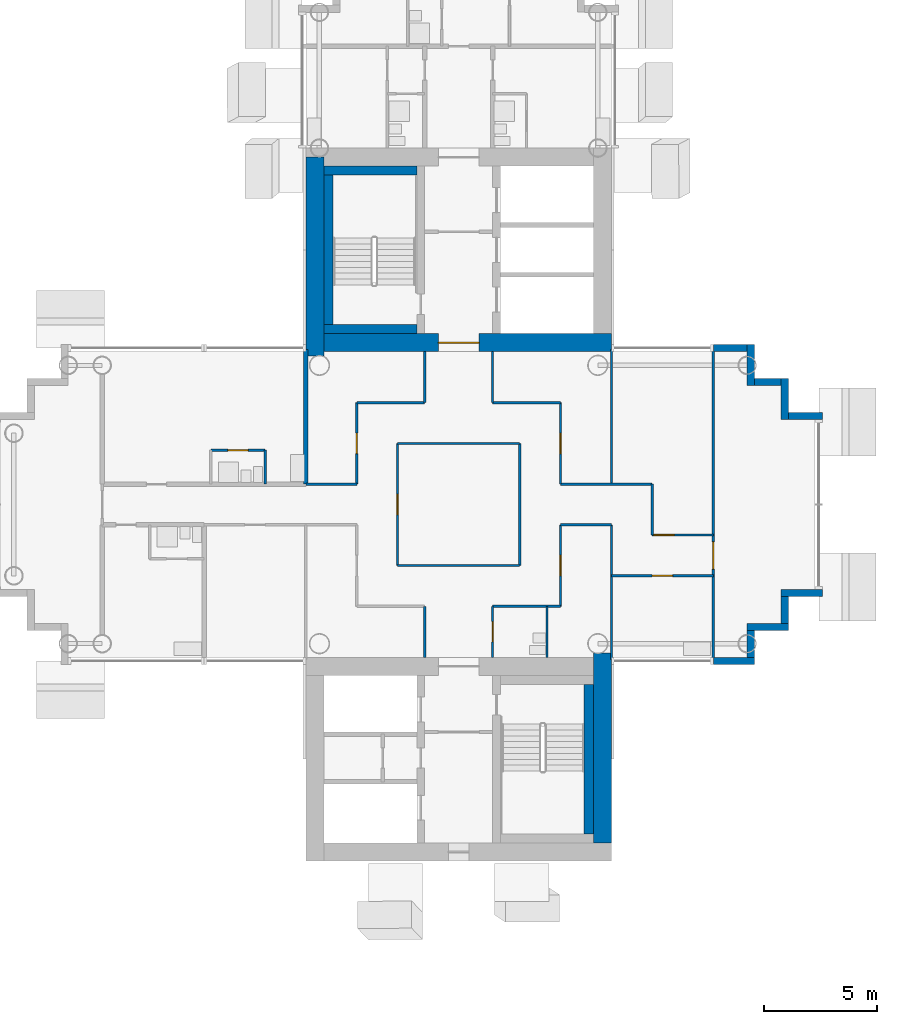
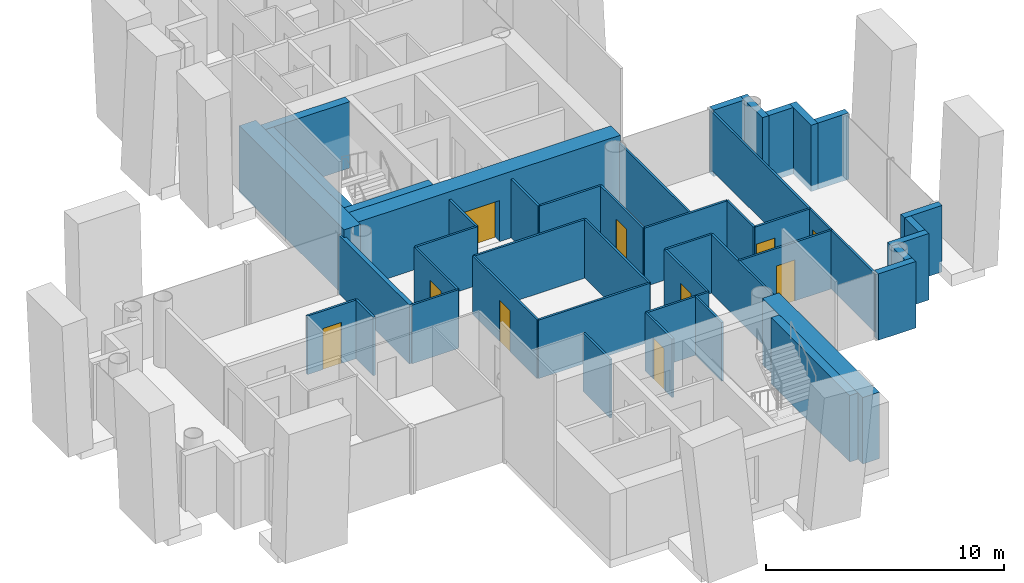
# One storey, part 10 of 18: 44 walls, 10 doors, 10 openings.
"""IFC4 building model written with IfcOpenShell, lengths in metres."""

from ifc_helpers import new_model, si_unit, direction, frame, frame_2d, origin, place, context, subcontext, project, spatial, rectangle, extrude, material, layer, layer_set, type_object, element, fill, save


model = new_model("IFC4")

# Units and contexts
model_context = context("Model", 3, precision=1e-05, world=origin(), true_north=direction((0.0, 1.0)))
body_context = subcontext(model_context, "Body", "Model", "MODEL_VIEW")
ifc_project = project(units=[si_unit("LENGTHUNIT", "METRE"), si_unit("AREAUNIT", "SQUARE_METRE"), si_unit("VOLUMEUNIT", "CUBIC_METRE"), si_unit("PLANEANGLEUNIT", "RADIAN"), si_unit("MASSUNIT", "GRAM", prefix="KILO")], contexts=[model_context])

# Site, building, storey
site_placement = place(None, origin())
site = spatial("IfcSite", under=ifc_project, at=site_placement, CompositionType="ELEMENT")
building_placement = place(site_placement, origin())
building = spatial("IfcBuilding", under=site, at=building_placement, Name="Ipe Terrace Towers", CompositionType="ELEMENT")
storey_placement = place(building_placement, frame((0.0, 0.0, 171.10009765625)))
storey = spatial("IfcBuildingStorey", under=building, at=storey_placement, Name="L47", CompositionType="ELEMENT", Elevation=171.10009765625)

# Walls
ifc_material_1 = material(Name="Concrete C40/50 with buff precast cladding", Category="concrete")
ifc_layer_1 = layer(ifc_material_1, 0.320068359375)
ifc_layer_set_1 = layer_set([ifc_layer_1], Name="BUFF CLADDING WALL 320")
wall_type_1 = type_object("IfcWallType", Name="BUFF CLADDING WALL 320", PredefinedType="STANDARD", material=ifc_layer_set_1)
wall_1_placement = place(storey_placement, frame((47.25, -6.909912109375, -0.300048828125), z_axis=(0.0, 0.0, 1.0), x_axis=(1.0, 0.0, 0.0)))
element("IfcWall", 1, at=wall_1_placement, inside=storey, type_object=wall_type_1, Name="T2-W-L47-03a wall", PredefinedType="STANDARD", context=body_context, shape_type="SweptSolid", body=[
    extrude(rectangle(XDim=1.820068359375, YDim=0.320068359375, at=frame_2d((0.91015625, 0.0))), origin(), (0.0, 0.0, 1.0), 3.39990234375),
])
wall_2_placement = place(storey_placement, frame((48.909912109375, -6.75, -0.300048828125), z_axis=(0.0, 0.0, 1.0), x_axis=(0.0, 1.0, 0.0)))
element("IfcWall", 2, at=wall_2_placement, inside=storey, type_object=wall_type_1, Name="T2-W-L47-04a wall", PredefinedType="STANDARD", context=body_context, shape_type="SweptSolid", body=[
    extrude(rectangle(XDim=1.179931640625, YDim=0.320068359375, at=frame_2d((0.58984375, 0.0))), origin(), (0.0, 0.0, 1.0), 3.39990234375),
])
wall_3_placement = place(storey_placement, frame((48.75, -5.409912109375, -0.300048828125), z_axis=(0.0, 0.0, 1.0), x_axis=(1.0, 0.0, 0.0)))
element("IfcWall", 3, at=wall_3_placement, inside=storey, type_object=wall_type_1, Name="T2-W-L47-05a wall", PredefinedType="STANDARD", context=body_context, shape_type="SweptSolid", body=[
    extrude(rectangle(XDim=1.820068359375, YDim=0.320068359375, at=frame_2d((0.91015625, 0.0))), origin(), (0.0, 0.0, 1.0), 3.39990234375),
])
wall_4_placement = place(storey_placement, frame((50.409912109375, -5.25, -0.300048828125), z_axis=(0.0, 0.0, 1.0), x_axis=(0.0, 1.0, 0.0)))
element("IfcWall", 4, at=wall_4_placement, inside=storey, type_object=wall_type_1, Name="T2-W-L47-06a wall", PredefinedType="STANDARD", context=body_context, shape_type="SweptSolid", body=[
    extrude(rectangle(XDim=1.179931640625, YDim=0.320068359375, at=frame_2d((0.58984375, 0.0))), origin(), (0.0, 0.0, 1.0), 3.39990234375),
])
wall_5_placement = place(storey_placement, frame((50.25, -3.909912109375, -0.300048828125), z_axis=(0.0, 0.0, 1.0), x_axis=(1.0, 0.0, 0.0)))
element("IfcWall", 5, at=wall_5_placement, inside=storey, type_object=wall_type_1, Name="T2-W-L47-07a wall", PredefinedType="STANDARD", context=body_context, shape_type="SweptSolid", body=[
    extrude(rectangle(XDim=1.820068359375, YDim=0.320068359375, at=frame_2d((0.91015625, 0.0))), origin(), (0.0, 0.0, 1.0), 3.39990234375),
])
wall_6_placement = place(storey_placement, frame((52.070068359375, 3.909912109375, -0.300048828125), z_axis=(0.0, 0.0, 1.0), x_axis=(-1.0, 0.0, 0.0)))
element("IfcWall", 6, at=wall_6_placement, inside=storey, type_object=wall_type_1, Name="T2-W-L47-09a wall", PredefinedType="STANDARD", context=body_context, shape_type="SweptSolid", body=[
    extrude(rectangle(XDim=1.5, YDim=0.320068359375, at=frame_2d((0.75, 0.0))), origin(), (0.0, 0.0, 1.0), 3.39990234375),
])
wall_7_placement = place(storey_placement, frame((50.409912109375, 3.75, -0.300048828125), z_axis=(0.0, 0.0, 1.0), x_axis=(0.0, 1.0, 0.0)))
element("IfcWall", 7, at=wall_7_placement, inside=storey, type_object=wall_type_1, Name="T2-W-L47-10a wall", PredefinedType="STANDARD", context=body_context, shape_type="SweptSolid", body=[
    extrude(rectangle(XDim=1.820068359375, YDim=0.320068359375, at=frame_2d((0.91015625, 0.0))), origin(), (0.0, 0.0, 1.0), 3.39990234375),
])
wall_8_placement = place(storey_placement, frame((50.25, 5.409912109375, -0.300048828125), z_axis=(0.0, 0.0, 1.0), x_axis=(-1.0, 0.0, 0.0)))
element("IfcWall", 8, at=wall_8_placement, inside=storey, type_object=wall_type_1, Name="T2-W-L47-11a wall", PredefinedType="STANDARD", context=body_context, shape_type="SweptSolid", body=[
    extrude(rectangle(XDim=1.179931640625, YDim=0.320068359375, at=frame_2d((0.58984375, 0.0))), origin(), (0.0, 0.0, 1.0), 3.39990234375),
])
wall_9_placement = place(storey_placement, frame((48.909912109375, 5.25, -0.300048828125), z_axis=(0.0, 0.0, 1.0), x_axis=(0.0, 1.0, 0.0)))
element("IfcWall", 9, at=wall_9_placement, inside=storey, type_object=wall_type_1, Name="T2-W-L47-12a wall", PredefinedType="STANDARD", context=body_context, shape_type="SweptSolid", body=[
    extrude(rectangle(XDim=1.820068359375, YDim=0.320068359375, at=frame_2d((0.91015625, 0.0))), origin(), (0.0, 0.0, 1.0), 3.39990234375),
])
wall_10_placement = place(storey_placement, frame((48.75, 6.909912109375, -0.300048828125), z_axis=(0.0, 0.0, 1.0), x_axis=(-1.0, 0.0, 0.0)))
element("IfcWall", 10, at=wall_10_placement, inside=storey, type_object=wall_type_1, Name="T2-W-L47-13a wall", PredefinedType="STANDARD", context=body_context, shape_type="SweptSolid", body=[
    extrude(rectangle(XDim=1.5, YDim=0.320068359375, at=frame_2d((0.75, 0.0))), origin(), (0.0, 0.0, 1.0), 3.39990234375),
])
ifc_material_2 = material(Name="Gypsum board partition", Category="plasterboard")
ifc_layer_2 = layer(ifc_material_2, 0.10009765625)
ifc_layer_set_2 = layer_set([ifc_layer_2], Name="Gypsum board partition 100 mm")
wall_type_2 = type_object("IfcWallType", Name="Gypsum board partition 100 mm", PredefinedType="PARTITIONING", material=ifc_layer_set_2)
wall_11_placement = place(storey_placement, frame((40.5, -4.5, 0.0), z_axis=(0.0, 0.0, 1.0), x_axis=(-1.0, 0.0, 0.0)))
element("IfcWall", 11, at=wall_11_placement, inside=storey, type_object=wall_type_2, Name="Gypsum board partition T2 L47 W01", PredefinedType="PARTITIONING", context=body_context, shape_type="SweptSolid", body=[
    extrude(rectangle(XDim=3.0, YDim=0.10009765625, at=frame_2d((1.5, 0.0))), origin(), (0.0, 0.0, 1.0), 3.0),
])

# Wall, opening, door
wall_12_placement = place(storey_placement, frame((47.25, -3.14990234375, 0.0), z_axis=(0.0, 0.0, 1.0), x_axis=(-1.0, 0.0, 0.0)))
wall_12 = element("IfcWall", 12, at=wall_12_placement, inside=storey, type_object=wall_type_2, Name="Gypsum board partition T2 L47 W03", PredefinedType="PARTITIONING", context=body_context, shape_type="SweptSolid", body=[
    extrude(rectangle(XDim=4.5, YDim=0.10009765625, at=frame_2d((2.25, 0.0))), origin(), (0.0, 0.0, 1.0), 3.0),
])
opening_1_placement = place(wall_12_placement, frame((1.800048828125, 0.0, 0.0)))
opening_1 = element("IfcOpeningElement", 13, at=opening_1_placement, cuts=wall_12, Name="Opening T2-Z3F-14", PredefinedType="OPENING", context=body_context, shape_type="SweptSolid", body=[
    extrude(rectangle(XDim=0.89990234375, YDim=2.10009765625, at=frame_2d((0.449951171875, 1.050048828125))), frame((0.0, 0.06005859375, 0.0), z_axis=(0.0, -1.0, 0.0), x_axis=(1.0, 0.0, 0.0)), (0.0, 0.0, 1.0), 0.1201171875),
])
ifc_material_3 = material(Name="Timber door leaf", Category="wood")
door_type_1 = type_object("IfcDoorType", Name="Lounge door 900 x 2100", OperationType="NOTDEFINED", PredefinedType="DOOR", material=ifc_material_3)
door_1_placement = place(opening_1_placement, origin())
door_1 = element("IfcDoor", 14, at=door_1_placement, inside=storey, type_object=door_type_1, Name="Lounge door T2-Z3F-14", OperationType="SINGLE_SWING_LEFT", OverallHeight=2.10009765625, OverallWidth=0.89990234375, PredefinedType="DOOR", context=body_context, shape_type="SweptSolid", body=[
    extrude(rectangle(XDim=0.89990234375, YDim=2.10009765625, at=frame_2d((0.449951171875, 1.050048828125))), frame((0.0, 0.02490234375, 0.0), z_axis=(0.0, -1.0, 0.0), x_axis=(1.0, 0.0, 0.0)), (0.0, 0.0, 1.0), 0.050048828125),
])
fill(opening_1, door_1)

# Wall
wall_13_placement = place(storey_placement, frame((38.699951171875, -2.699951171875, 0.0), z_axis=(0.0, 0.0, 1.0), x_axis=(-1.0, 0.0, 0.0)))
element("IfcWall", 15, at=wall_13_placement, inside=storey, type_object=wall_type_2, Name="Gypsum board partition T2 L47 W04", PredefinedType="PARTITIONING", context=body_context, shape_type="SweptSolid", body=[
    extrude(rectangle(XDim=5.39990234375, YDim=0.10009765625, at=frame_2d((2.699951171875, 0.0))), origin(), (0.0, 0.0, 1.0), 3.0),
])

# Wall, opening, door
wall_14_placement = place(storey_placement, frame((47.25, -1.35009765625, 0.0), z_axis=(0.0, 0.0, 1.0), x_axis=(-1.0, 0.0, 0.0)))
wall_14 = element("IfcWall", 16, at=wall_14_placement, inside=storey, type_object=wall_type_2, Name="Gypsum board partition T2 L47 W06", PredefinedType="PARTITIONING", context=body_context, shape_type="SweptSolid", body=[
    extrude(rectangle(XDim=2.699951171875, YDim=0.10009765625, at=frame_2d((1.35009765625, 0.0))), origin(), (0.0, 0.0, 1.0), 3.0),
])
opening_2_placement = place(wall_14_placement, frame((1.72998046875, 0.0, 0.0)))
opening_2 = element("IfcOpeningElement", 17, at=opening_2_placement, cuts=wall_14, Name="Opening T2-Z3F-13", PredefinedType="OPENING", context=body_context, shape_type="SweptSolid", body=[
    extrude(rectangle(XDim=0.89990234375, YDim=2.10009765625, at=frame_2d((0.449951171875, 1.050048828125))), frame((0.0, 0.06005859375, 0.0), z_axis=(0.0, -1.0, 0.0), x_axis=(1.0, 0.0, 0.0)), (0.0, 0.0, 1.0), 0.1201171875),
])
door_2_placement = place(opening_2_placement, origin())
door_2 = element("IfcDoor", 18, at=door_2_placement, inside=storey, type_object=door_type_1, Name="Lounge door T2-Z3F-13", OperationType="SINGLE_SWING_RIGHT", OverallHeight=2.10009765625, OverallWidth=0.89990234375, PredefinedType="DOOR", context=body_context, shape_type="SweptSolid", body=[
    extrude(rectangle(XDim=0.89990234375, YDim=2.10009765625, at=frame_2d((0.449951171875, 1.050048828125))), frame((0.0, 0.02490234375, 0.0), z_axis=(0.0, -1.0, 0.0), x_axis=(1.0, 0.0, 0.0)), (0.0, 0.0, 1.0), 0.050048828125),
])
fill(opening_2, door_2)

# Walls
wall_15_placement = place(storey_placement, frame((42.75, -0.89990234375, 0.0), z_axis=(0.0, 0.0, 1.0), x_axis=(-1.0, 0.0, 0.0)))
element("IfcWall", 19, at=wall_15_placement, inside=storey, type_object=wall_type_2, Name="Gypsum board partition T2 L47 W07", PredefinedType="PARTITIONING", context=body_context, shape_type="SweptSolid", body=[
    extrude(rectangle(XDim=2.25, YDim=0.10009765625, at=frame_2d((1.125, 0.0))), origin(), (0.0, 0.0, 1.0), 3.0),
])
wall_16_placement = place(storey_placement, frame((44.550048828125, 0.89990234375, 0.0), z_axis=(0.0, 0.0, 1.0), x_axis=(-1.0, 0.0, 0.0)))
element("IfcWall", 20, at=wall_16_placement, inside=storey, type_object=wall_type_2, Name="Gypsum board partition T2 L47 W10", PredefinedType="PARTITIONING", context=body_context, shape_type="SweptSolid", body=[
    extrude(rectangle(XDim=4.050048828125, YDim=0.10009765625, at=frame_2d((2.02490234375, 0.0))), origin(), (0.0, 0.0, 1.0), 3.0),
])
wall_17_placement = place(storey_placement, frame((31.5, 0.89990234375, 0.0), z_axis=(0.0, 0.0, 1.0), x_axis=(-1.0, 0.0, 0.0)))
element("IfcWall", 21, at=wall_17_placement, inside=storey, type_object=wall_type_2, Name="Gypsum board partition T2 L47 W11", PredefinedType="PARTITIONING", context=body_context, shape_type="SweptSolid", body=[
    extrude(rectangle(XDim=2.25, YDim=0.10009765625, at=frame_2d((1.125, 0.0))), origin(), (0.0, 0.0, 1.0), 3.0),
])

# Wall, opening, door
wall_18_placement = place(storey_placement, frame((27.449951171875, 2.39990234375, 0.0), z_axis=(0.0, 0.0, 1.0), x_axis=(-1.0, 0.0, 0.0)))
wall_18 = element("IfcWall", 22, at=wall_18_placement, inside=storey, type_object=wall_type_2, Name="Gypsum board partition T2 L47 W13", PredefinedType="PARTITIONING", context=body_context, shape_type="SweptSolid", body=[
    extrude(rectangle(XDim=2.39990234375, YDim=0.10009765625, at=frame_2d((1.199951171875, 0.0))), origin(), (0.0, 0.0, 1.0), 3.0),
])
opening_3_placement = place(wall_18_placement, frame((0.75, 0.0, 0.0)))
opening_3 = element("IfcOpeningElement", 23, at=opening_3_placement, cuts=wall_18, Name="Opening T2-Z3F-11", PredefinedType="OPENING", context=body_context, shape_type="SweptSolid", body=[
    extrude(rectangle(XDim=0.89990234375, YDim=2.10009765625, at=frame_2d((0.449951171875, 1.050048828125))), frame((0.0, 0.06005859375, 0.0), z_axis=(0.0, -1.0, 0.0), x_axis=(1.0, 0.0, 0.0)), (0.0, 0.0, 1.0), 0.1201171875),
])
ifc_material_4 = material(Name="Timber door leaf", Category="wood")
door_type_2 = type_object("IfcDoorType", Name="Bathroom door 900 x 2100", OperationType="NOTDEFINED", PredefinedType="DOOR", material=ifc_material_4)
door_3_placement = place(opening_3_placement, origin())
door_3 = element("IfcDoor", 24, at=door_3_placement, inside=storey, type_object=door_type_2, Name="Bathroom door T2-Z3F-11", OperationType="SINGLE_SWING_LEFT", OverallHeight=2.10009765625, OverallWidth=0.89990234375, PredefinedType="DOOR", context=body_context, shape_type="SweptSolid", body=[
    extrude(rectangle(XDim=0.89990234375, YDim=2.10009765625, at=frame_2d((0.449951171875, 1.050048828125))), frame((0.0, 0.02490234375, 0.0), z_axis=(0.0, -1.0, 0.0), x_axis=(1.0, 0.0, 0.0)), (0.0, 0.0, 1.0), 0.050048828125),
])
fill(opening_3, door_3)

# Walls
wall_19_placement = place(storey_placement, frame((38.699951171875, 2.699951171875, 0.0), z_axis=(0.0, 0.0, 1.0), x_axis=(-1.0, 0.0, 0.0)))
element("IfcWall", 25, at=wall_19_placement, inside=storey, type_object=wall_type_2, Name="Gypsum board partition T2 L47 W14", PredefinedType="PARTITIONING", context=body_context, shape_type="SweptSolid", body=[
    extrude(rectangle(XDim=5.39990234375, YDim=0.10009765625, at=frame_2d((2.699951171875, 0.0))), origin(), (0.0, 0.0, 1.0), 3.0),
])
for number, where, z_axis, x_axis, name in (
    (26, (40.5, 4.5, 0.0), (0.0, 0.0, 1.0), (-1.0, 0.0, 0.0), "Gypsum board partition T2 L47 W15"),
    (27, (34.5, 4.5, 0.0), (0.0, 0.0, 1.0), (-1.0, 0.0, 0.0), "Gypsum board partition T2 L47 W16"),
):
    element("IfcWall", number, at=place(storey_placement, frame(where, z_axis=z_axis, x_axis=x_axis)), inside=storey, type_object=wall_type_2, Name=name, PredefinedType="PARTITIONING", context=body_context, shape_type="SweptSolid", body=[
        extrude(rectangle(XDim=3.0, YDim=0.10009765625, at=frame_2d((1.5, 0.0))), origin(), (0.0, 0.0, 1.0), 3.0),
    ])

# Wall, opening, door
wall_20_placement = place(storey_placement, frame((47.25, -6.85009765625, 0.0), z_axis=(0.0, 0.0, 1.0), x_axis=(0.0, 1.0, 0.0)))
wall_20 = element("IfcWall", 28, at=wall_20_placement, inside=storey, type_object=wall_type_2, Name="Gypsum board partition T2 L47 W21", PredefinedType="PARTITIONING", context=body_context, shape_type="SweptSolid", body=[
    extrude(rectangle(XDim=13.7001953125, YDim=0.10009765625, at=frame_2d((6.85009765625, 0.0))), origin(), (0.0, 0.0, 1.0), 3.0),
])
opening_4_placement = place(wall_20_placement, frame((4.0, 0.0, 0.0)))
opening_4 = element("IfcOpeningElement", 29, at=opening_4_placement, cuts=wall_20, Name="Opening T2-Z3F-15", PredefinedType="OPENING", context=body_context, shape_type="SweptSolid", body=[
    extrude(rectangle(XDim=1.199951171875, YDim=2.10009765625, at=frame_2d((0.60009765625, 1.050048828125))), frame((0.0, 0.06005859375, 0.0), z_axis=(0.0, -1.0, 0.0), x_axis=(1.0, 0.0, 0.0)), (0.0, 0.0, 1.0), 0.1201171875),
])
ifc_material_5 = material(Name="Timber door leaf", Category="wood")
door_type_3 = type_object("IfcDoorType", Name="Lounge door 1200 x 2100", OperationType="NOTDEFINED", PredefinedType="DOOR", material=ifc_material_5)
door_4_placement = place(opening_4_placement, origin())
door_4 = element("IfcDoor", 30, at=door_4_placement, inside=storey, type_object=door_type_3, Name="Lounge door T2-Z3F-15", OperationType="SINGLE_SWING_LEFT", OverallHeight=2.10009765625, OverallWidth=1.199951171875, PredefinedType="DOOR", context=body_context, shape_type="SweptSolid", body=[
    extrude(rectangle(XDim=1.199951171875, YDim=2.10009765625, at=frame_2d((0.60009765625, 1.050048828125))), frame((0.0, 0.02490234375, 0.0), z_axis=(0.0, -1.0, 0.0), x_axis=(1.0, 0.0, 0.0)), (0.0, 0.0, 1.0), 0.050048828125),
])
fill(opening_4, door_4)

# Walls
wall_21_placement = place(storey_placement, frame((44.550048828125, -1.35009765625, 0.0), z_axis=(0.0, 0.0, 1.0), x_axis=(0.0, 1.0, 0.0)))
element("IfcWall", 31, at=wall_21_placement, inside=storey, type_object=wall_type_2, Name="Gypsum board partition T2 L47 W22", PredefinedType="PARTITIONING", context=body_context, shape_type="SweptSolid", body=[
    extrude(rectangle(XDim=2.25, YDim=0.10009765625, at=frame_2d((1.125, 0.0))), origin(), (0.0, 0.0, 1.0), 3.0),
])
for number, where, z_axis, x_axis, name in (
    (32, (42.75, -6.85009765625, 0.0), (0.0, 0.0, 1.0), (0.0, 1.0, 0.0), "Gypsum board partition T2 L47 W23"),
    (33, (42.75, 0.89990234375, 0.0), (0.0, 0.0, 1.0), (0.0, 1.0, 0.0), "Gypsum board partition T2 L47 W24"),
):
    element("IfcWall", number, at=place(storey_placement, frame(where, z_axis=z_axis, x_axis=x_axis)), inside=storey, type_object=wall_type_2, Name=name, PredefinedType="PARTITIONING", context=body_context, shape_type="SweptSolid", body=[
        extrude(rectangle(XDim=5.9501953125, YDim=0.10009765625, at=frame_2d((2.97509765625, 0.0))), origin(), (0.0, 0.0, 1.0), 3.0),
    ])

# Wall, opening, door
wall_22_placement = place(storey_placement, frame((40.5, -4.5, 0.0), z_axis=(0.0, 0.0, 1.0), x_axis=(0.0, 1.0, 0.0)))
wall_22 = element("IfcWall", 34, at=wall_22_placement, inside=storey, type_object=wall_type_2, Name="Gypsum board partition T2 L47 W25", PredefinedType="PARTITIONING", context=body_context, shape_type="SweptSolid", body=[
    extrude(rectangle(XDim=3.60009765625, YDim=0.10009765625, at=frame_2d((1.800048828125, 0.0))), origin(), (0.0, 0.0, 1.0), 3.0),
])
opening_5_placement = place(wall_22_placement, frame((1.35009765625, 0.0, 0.0)))
opening_5 = element("IfcOpeningElement", 35, at=opening_5_placement, cuts=wall_22, Name="Opening T2-Z3F-05", PredefinedType="OPENING", context=body_context, shape_type="SweptSolid", body=[
    extrude(rectangle(XDim=0.89990234375, YDim=2.10009765625, at=frame_2d((0.449951171875, 1.050048828125))), frame((0.0, 0.06005859375, 0.0), z_axis=(0.0, -1.0, 0.0), x_axis=(1.0, 0.0, 0.0)), (0.0, 0.0, 1.0), 0.1201171875),
])
door_5_placement = place(opening_5_placement, origin())
door_5 = element("IfcDoor", 36, at=door_5_placement, inside=storey, type_object=door_type_1, Name="Lounge door T2-Z3F-05", OperationType="SINGLE_SWING_LEFT", OverallHeight=2.10009765625, OverallWidth=0.89990234375, PredefinedType="DOOR", context=body_context, shape_type="SweptSolid", body=[
    extrude(rectangle(XDim=0.89990234375, YDim=2.10009765625, at=frame_2d((0.449951171875, 1.050048828125))), frame((0.0, 0.02490234375, 0.0), z_axis=(0.0, -1.0, 0.0), x_axis=(1.0, 0.0, 0.0)), (0.0, 0.0, 1.0), 0.050048828125),
])
fill(opening_5, door_5)

wall_23_placement = place(storey_placement, frame((40.5, 0.89990234375, 0.0), z_axis=(0.0, 0.0, 1.0), x_axis=(0.0, 1.0, 0.0)))
wall_23 = element("IfcWall", 37, at=wall_23_placement, inside=storey, type_object=wall_type_2, Name="Gypsum board partition T2 L47 W26", PredefinedType="PARTITIONING", context=body_context, shape_type="SweptSolid", body=[
    extrude(rectangle(XDim=3.60009765625, YDim=0.10009765625, at=frame_2d((1.800048828125, 0.0))), origin(), (0.0, 0.0, 1.0), 3.0),
])
opening_6_placement = place(wall_23_placement, frame((1.35009765625, 0.0, 0.0)))
opening_6 = element("IfcOpeningElement", 38, at=opening_6_placement, cuts=wall_23, Name="Opening T2-Z3F-06", PredefinedType="OPENING", context=body_context, shape_type="SweptSolid", body=[
    extrude(rectangle(XDim=0.89990234375, YDim=2.10009765625, at=frame_2d((0.449951171875, 1.050048828125))), frame((0.0, 0.06005859375, 0.0), z_axis=(0.0, -1.0, 0.0), x_axis=(1.0, 0.0, 0.0)), (0.0, 0.0, 1.0), 0.1201171875),
])
door_6_placement = place(opening_6_placement, origin())
door_6 = element("IfcDoor", 39, at=door_6_placement, inside=storey, type_object=door_type_1, Name="Lounge door T2-Z3F-06", OperationType="SINGLE_SWING_LEFT", OverallHeight=2.10009765625, OverallWidth=0.89990234375, PredefinedType="DOOR", context=body_context, shape_type="SweptSolid", body=[
    extrude(rectangle(XDim=0.89990234375, YDim=2.10009765625, at=frame_2d((0.449951171875, 1.050048828125))), frame((0.0, 0.02490234375, 0.0), z_axis=(0.0, -1.0, 0.0), x_axis=(1.0, 0.0, 0.0)), (0.0, 0.0, 1.0), 0.050048828125),
])
fill(opening_6, door_6)

# Walls
wall_24_placement = place(storey_placement, frame((39.89990234375, -6.75, 0.0), z_axis=(0.0, 0.0, 1.0), x_axis=(0.0, 1.0, 0.0)))
element("IfcWall", 40, at=wall_24_placement, inside=storey, type_object=wall_type_2, Name="Gypsum board partition T2 L47 W27", PredefinedType="PARTITIONING", context=body_context, shape_type="SweptSolid", body=[
    extrude(rectangle(XDim=2.25, YDim=0.10009765625, at=frame_2d((1.125, 0.0))), origin(), (0.0, 0.0, 1.0), 3.0),
])
wall_25_placement = place(storey_placement, frame((38.699951171875, -2.699951171875, 0.0), z_axis=(0.0, 0.0, 1.0), x_axis=(0.0, 1.0, 0.0)))
element("IfcWall", 41, at=wall_25_placement, inside=storey, type_object=wall_type_2, Name="Gypsum board partition T2 L47 W29", PredefinedType="PARTITIONING", context=body_context, shape_type="SweptSolid", body=[
    extrude(rectangle(XDim=5.39990234375, YDim=0.10009765625, at=frame_2d((2.699951171875, 0.0))), origin(), (0.0, 0.0, 1.0), 3.0),
])

# Wall, opening, door
wall_26_placement = place(storey_placement, frame((37.5, -6.75, 0.0), z_axis=(0.0, 0.0, 1.0), x_axis=(0.0, 1.0, 0.0)))
wall_26 = element("IfcWall", 42, at=wall_26_placement, inside=storey, type_object=wall_type_2, Name="Gypsum board partition T2 L47 W31", PredefinedType="PARTITIONING", context=body_context, shape_type="SweptSolid", body=[
    extrude(rectangle(XDim=2.25, YDim=0.10009765625, at=frame_2d((1.125, 0.0))), origin(), (0.0, 0.0, 1.0), 3.0),
])
opening_7_placement = place(wall_26_placement, frame((0.675048828125, 0.0, 0.0)))
opening_7 = element("IfcOpeningElement", 43, at=opening_7_placement, cuts=wall_26, Name="Opening T2-Z3F-02", PredefinedType="OPENING", context=body_context, shape_type="SweptSolid", body=[
    extrude(rectangle(XDim=0.89990234375, YDim=2.10009765625, at=frame_2d((0.449951171875, 1.050048828125))), frame((0.0, 0.06005859375, 0.0), z_axis=(0.0, -1.0, 0.0), x_axis=(1.0, 0.0, 0.0)), (0.0, 0.0, 1.0), 0.1201171875),
])
door_7_placement = place(opening_7_placement, origin())
door_7 = element("IfcDoor", 44, at=door_7_placement, inside=storey, type_object=door_type_2, Name="Bathroom door T2-Z3F-02", OperationType="SINGLE_SWING_RIGHT", OverallHeight=2.10009765625, OverallWidth=0.89990234375, PredefinedType="DOOR", context=body_context, shape_type="SweptSolid", body=[
    extrude(rectangle(XDim=0.89990234375, YDim=2.10009765625, at=frame_2d((0.449951171875, 1.050048828125))), frame((0.0, 0.02490234375, 0.0), z_axis=(0.0, -1.0, 0.0), x_axis=(1.0, 0.0, 0.0)), (0.0, 0.0, 1.0), 0.050048828125),
])
fill(opening_7, door_7)

# Walls
for number, where, z_axis, x_axis, name in (
    (45, (37.5, 4.5, 0.0), (0.0, 0.0, 1.0), (0.0, 1.0, 0.0), "Gypsum board partition T2 L47 W32"),
    (46, (34.5, -6.75, 0.0), (0.0, 0.0, 1.0), (0.0, 1.0, 0.0), "Gypsum board partition T2 L47 W35"),
    (47, (34.5, 4.5, 0.0), (0.0, 0.0, 1.0), (0.0, 1.0, 0.0), "Gypsum board partition T2 L47 W36"),
):
    element("IfcWall", number, at=place(storey_placement, frame(where, z_axis=z_axis, x_axis=x_axis)), inside=storey, type_object=wall_type_2, Name=name, PredefinedType="PARTITIONING", context=body_context, shape_type="SweptSolid", body=[
        extrude(rectangle(XDim=2.25, YDim=0.10009765625, at=frame_2d((1.125, 0.0))), origin(), (0.0, 0.0, 1.0), 3.0),
    ])

# Wall, opening, door
wall_27_placement = place(storey_placement, frame((33.300048828125, -2.699951171875, 0.0), z_axis=(0.0, 0.0, 1.0), x_axis=(0.0, 1.0, 0.0)))
wall_27 = element("IfcWall", 48, at=wall_27_placement, inside=storey, type_object=wall_type_2, Name="Gypsum board partition T2 L47 W39", PredefinedType="PARTITIONING", context=body_context, shape_type="SweptSolid", body=[
    extrude(rectangle(XDim=5.39990234375, YDim=0.10009765625, at=frame_2d((2.699951171875, 0.0))), origin(), (0.0, 0.0, 1.0), 3.0),
])
opening_8_placement = place(wall_27_placement, frame((2.25, 0.0, 0.0)))
opening_8 = element("IfcOpeningElement", 49, at=opening_8_placement, cuts=wall_27, Name="Opening T2-Z3F-01", PredefinedType="OPENING", context=body_context, shape_type="SweptSolid", body=[
    extrude(rectangle(XDim=0.89990234375, YDim=2.10009765625, at=frame_2d((0.449951171875, 1.050048828125))), frame((0.0, 0.06005859375, 0.0), z_axis=(0.0, -1.0, 0.0), x_axis=(1.0, 0.0, 0.0)), (0.0, 0.0, 1.0), 0.1201171875),
])
door_8_placement = place(opening_8_placement, origin())
door_8 = element("IfcDoor", 50, at=door_8_placement, inside=storey, type_object=door_type_1, Name="Lounge door T2-Z3F-01", OperationType="SINGLE_SWING_RIGHT", OverallHeight=2.10009765625, OverallWidth=0.89990234375, PredefinedType="DOOR", context=body_context, shape_type="SweptSolid", body=[
    extrude(rectangle(XDim=0.89990234375, YDim=2.10009765625, at=frame_2d((0.449951171875, 1.050048828125))), frame((0.0, 0.02490234375, 0.0), z_axis=(0.0, -1.0, 0.0), x_axis=(1.0, 0.0, 0.0)), (0.0, 0.0, 1.0), 0.050048828125),
])
fill(opening_8, door_8)

wall_28_placement = place(storey_placement, frame((31.5, 0.89990234375, 0.0), z_axis=(0.0, 0.0, 1.0), x_axis=(0.0, 1.0, 0.0)))
wall_28 = element("IfcWall", 51, at=wall_28_placement, inside=storey, type_object=wall_type_2, Name="Gypsum board partition T2 L47 W42", PredefinedType="PARTITIONING", context=body_context, shape_type="SweptSolid", body=[
    extrude(rectangle(XDim=3.60009765625, YDim=0.10009765625, at=frame_2d((1.800048828125, 0.0))), origin(), (0.0, 0.0, 1.0), 3.0),
])
opening_9_placement = place(wall_28_placement, frame((1.35009765625, 0.0, 0.0)))
opening_9 = element("IfcOpeningElement", 52, at=opening_9_placement, cuts=wall_28, Name="Opening T2-Z3F-03", PredefinedType="OPENING", context=body_context, shape_type="SweptSolid", body=[
    extrude(rectangle(XDim=0.89990234375, YDim=2.10009765625, at=frame_2d((0.449951171875, 1.050048828125))), frame((0.0, 0.06005859375, 0.0), z_axis=(0.0, -1.0, 0.0), x_axis=(1.0, 0.0, 0.0)), (0.0, 0.0, 1.0), 0.1201171875),
])
door_9_placement = place(opening_9_placement, origin())
door_9 = element("IfcDoor", 53, at=door_9_placement, inside=storey, type_object=door_type_1, Name="Lounge door T2-Z3F-03", OperationType="SINGLE_SWING_RIGHT", OverallHeight=2.10009765625, OverallWidth=0.89990234375, PredefinedType="DOOR", context=body_context, shape_type="SweptSolid", body=[
    extrude(rectangle(XDim=0.89990234375, YDim=2.10009765625, at=frame_2d((0.449951171875, 1.050048828125))), frame((0.0, 0.02490234375, 0.0), z_axis=(0.0, -1.0, 0.0), x_axis=(1.0, 0.0, 0.0)), (0.0, 0.0, 1.0), 0.050048828125),
])
fill(opening_9, door_9)

# Walls
wall_29_placement = place(storey_placement, frame((27.449951171875, 0.89990234375, 0.0), z_axis=(0.0, 0.0, 1.0), x_axis=(0.0, 1.0, 0.0)))
element("IfcWall", 54, at=wall_29_placement, inside=storey, type_object=wall_type_2, Name="Gypsum board partition T2 L47 W45", PredefinedType="PARTITIONING", context=body_context, shape_type="SweptSolid", body=[
    extrude(rectangle(XDim=1.5, YDim=0.10009765625, at=frame_2d((0.75, 0.0))), origin(), (0.0, 0.0, 1.0), 3.0),
])
ifc_material_6 = material(Name="Gypsum board party wall", Category="plasterboard")
ifc_layer_3 = layer(ifc_material_6, 0.199951171875)
ifc_layer_set_3 = layer_set([ifc_layer_3], Name="Gypsum board party wall 200 mm")
wall_type_3 = type_object("IfcWallType", Name="Gypsum board party wall 200 mm", PredefinedType="SOLIDWALL", material=ifc_layer_set_3)
wall_30_placement = place(storey_placement, frame((29.25, 0.89990234375, 0.0), z_axis=(0.0, 0.0, 1.0), x_axis=(0.0, 1.0, 0.0)))
element("IfcWall", 55, at=wall_30_placement, inside=storey, type_object=wall_type_3, Name="Gypsum board party wall T2 L47 W44", PredefinedType="SOLIDWALL", context=body_context, shape_type="SweptSolid", body=[
    extrude(rectangle(XDim=5.9501953125, YDim=0.199951171875, at=frame_2d((2.97509765625, 0.0))), origin(), (0.0, 0.0, 1.0), 3.0),
])
ifc_material_7 = material(Name="Concrete C50/60", Category="concrete")
ifc_layer_4 = layer(ifc_material_7, 0.39990234375)
ifc_layer_set_4 = layer_set([ifc_layer_4], Name="RW400 CORE INFILL WALL 400 C50-60")
wall_type_4 = type_object("IfcWallType", Name="RW400 CORE INFILL WALL 400 C50-60", PredefinedType="SHEAR", material=ifc_layer_set_4)
wall_31_placement = place(storey_placement, frame((34.14990234375, 14.75, 0.0), z_axis=(0.0, 0.0, 1.0), x_axis=(-1.0, 0.0, 0.0)))
element("IfcWall", 56, at=wall_31_placement, inside=storey, type_object=wall_type_4, Name="Core infill wall T2-C1-far", PredefinedType="SHEAR", context=body_context, shape_type="SweptSolid", body=[
    extrude(rectangle(XDim=4.099853515625, YDim=0.39990234375, at=frame_2d((2.0498046875, 0.0))), origin(), (0.0, 0.0, 1.0), 3.39990234375),
])
wall_32_placement = place(storey_placement, frame((30.25, 7.949951171875, 0.0), z_axis=(0.0, 0.0, 1.0), x_axis=(0.0, 1.0, 0.0)))
element("IfcWall", 57, at=wall_32_placement, inside=storey, type_object=wall_type_4, Name="Core infill wall T2-C1-back", PredefinedType="SHEAR", context=body_context, shape_type="SweptSolid", body=[
    extrude(rectangle(XDim=6.60009765625, YDim=0.39990234375, at=frame_2d((3.300048828125, 0.0))), origin(), (0.0, 0.0, 1.0), 3.39990234375),
])
wall_33_placement = place(storey_placement, frame((34.14990234375, 7.75, 0.0), z_axis=(0.0, 0.0, 1.0), x_axis=(-1.0, 0.0, 0.0)))
element("IfcWall", 58, at=wall_33_placement, inside=storey, type_object=wall_type_4, Name="Core infill wall T2-C1-near", PredefinedType="SHEAR", context=body_context, shape_type="SweptSolid", body=[
    extrude(rectangle(XDim=4.099853515625, YDim=0.39990234375, at=frame_2d((2.0498046875, 0.0))), origin(), (0.0, 0.0, 1.0), 3.39990234375),
])
wall_34_placement = place(storey_placement, frame((41.75, -7.949951171875, 0.0), z_axis=(0.0, 0.0, 1.0), x_axis=(0.0, -1.0, 0.0)))
element("IfcWall", 59, at=wall_34_placement, inside=storey, type_object=wall_type_4, Name="Core infill wall T2-C2-back", PredefinedType="SHEAR", context=body_context, shape_type="SweptSolid", body=[
    extrude(rectangle(XDim=6.60009765625, YDim=0.39990234375, at=frame_2d((3.300048828125, 0.0))), origin(), (0.0, 0.0, 1.0), 3.39990234375),
])

# Wall, opening, door
ifc_material_8 = material(Name="Concrete C50/60", Category="concrete")
ifc_layer_5 = layer(ifc_material_8, 0.800048828125)
ifc_layer_set_5 = layer_set([ifc_layer_5], Name="RW800 CORE WALL 800 C50-60")
wall_type_5 = type_object("IfcWallType", Name="RW800 CORE WALL 800 C50-60", PredefinedType="SHEAR", material=ifc_layer_set_5)
wall_35_placement = place(storey_placement, frame((30.050048828125, 7.14990234375, 0.0), z_axis=(0.0, 0.0, 1.0), x_axis=(1.0, 0.0, 0.0)))
wall_35 = element("IfcWall", 60, at=wall_35_placement, inside=storey, type_object=wall_type_5, Name="Core wall T2-C1-Z3-W01", PredefinedType="SHEAR", context=body_context, shape_type="SweptSolid", body=[
    extrude(rectangle(XDim=12.699951171875, YDim=0.800048828125, at=frame_2d((6.35009765625, 0.0))), origin(), (0.0, 0.0, 1.0), 3.39990234375),
])
opening_10_placement = place(wall_35_placement, frame((5.050048828125, 0.0, 0.0)))
opening_10 = element("IfcOpeningElement", 61, at=opening_10_placement, cuts=wall_35, Name="Opening T2C1-ND", PredefinedType="OPENING", context=body_context, shape_type="SweptSolid", body=[
    extrude(rectangle(XDim=1.800048828125, YDim=2.10009765625, at=frame_2d((0.89990234375, 1.050048828125))), frame((0.0, 0.41015625, 0.0), z_axis=(0.0, -1.0, 0.0), x_axis=(1.0, 0.0, 0.0)), (0.0, 0.0, 1.0), 0.820068359375),
])
ifc_material_9 = material(Name="Fire-rated timber door leaf", Category="wood")
door_type_4 = type_object("IfcDoorType", Name="Fire door 1800 x 2100 FD30S", OperationType="NOTDEFINED", PredefinedType="DOOR", material=ifc_material_9)
door_10_placement = place(opening_10_placement, origin())
door_10 = element("IfcDoor", 62, at=door_10_placement, inside=storey, type_object=door_type_4, Name="Fire door T2C1-ND", OperationType="SINGLE_SWING_LEFT", OverallHeight=2.10009765625, OverallWidth=1.800048828125, PredefinedType="DOOR", context=body_context, shape_type="SweptSolid", body=[
    extrude(rectangle(XDim=1.800048828125, YDim=2.10009765625, at=frame_2d((0.89990234375, 1.050048828125))), frame((0.0, 0.02490234375, 0.0), z_axis=(0.0, -1.0, 0.0), x_axis=(1.0, 0.0, 0.0)), (0.0, 0.0, 1.0), 0.050048828125),
])
fill(opening_10, door_10)

# Walls
wall_36_placement = place(storey_placement, frame((29.64990234375, 15.347900390625, 0.0), z_axis=(0.0, 0.0, 1.0), x_axis=(0.0, -1.0, 0.0)))
element("IfcWall", 63, at=wall_36_placement, inside=storey, type_object=wall_type_5, Name="Core wall T2-C1-Z3-W04", PredefinedType="SHEAR", context=body_context, shape_type="SweptSolid", body=[
    extrude(rectangle(XDim=8.7958984375, YDim=0.800048828125, at=frame_2d((4.39794921875, 0.0))), origin(), (0.0, 0.0, 1.0), 3.39990234375),
])
wall_37_placement = place(storey_placement, frame((42.35009765625, -14.949951171875, 0.0), z_axis=(0.0, 0.0, 1.0), x_axis=(0.0, 1.0, 0.0)))
element("IfcWall", 64, at=wall_37_placement, inside=storey, type_object=wall_type_5, Name="Core wall T2-C2-Z3-W02", PredefinedType="SHEAR", context=body_context, shape_type="SweptSolid", body=[
    extrude(rectangle(XDim=8.39794921875, YDim=0.800048828125, at=frame_2d((4.198974609375, 0.0))), origin(), (0.0, 0.0, 1.0), 3.39990234375),
])

save(model, "model.ifc")
